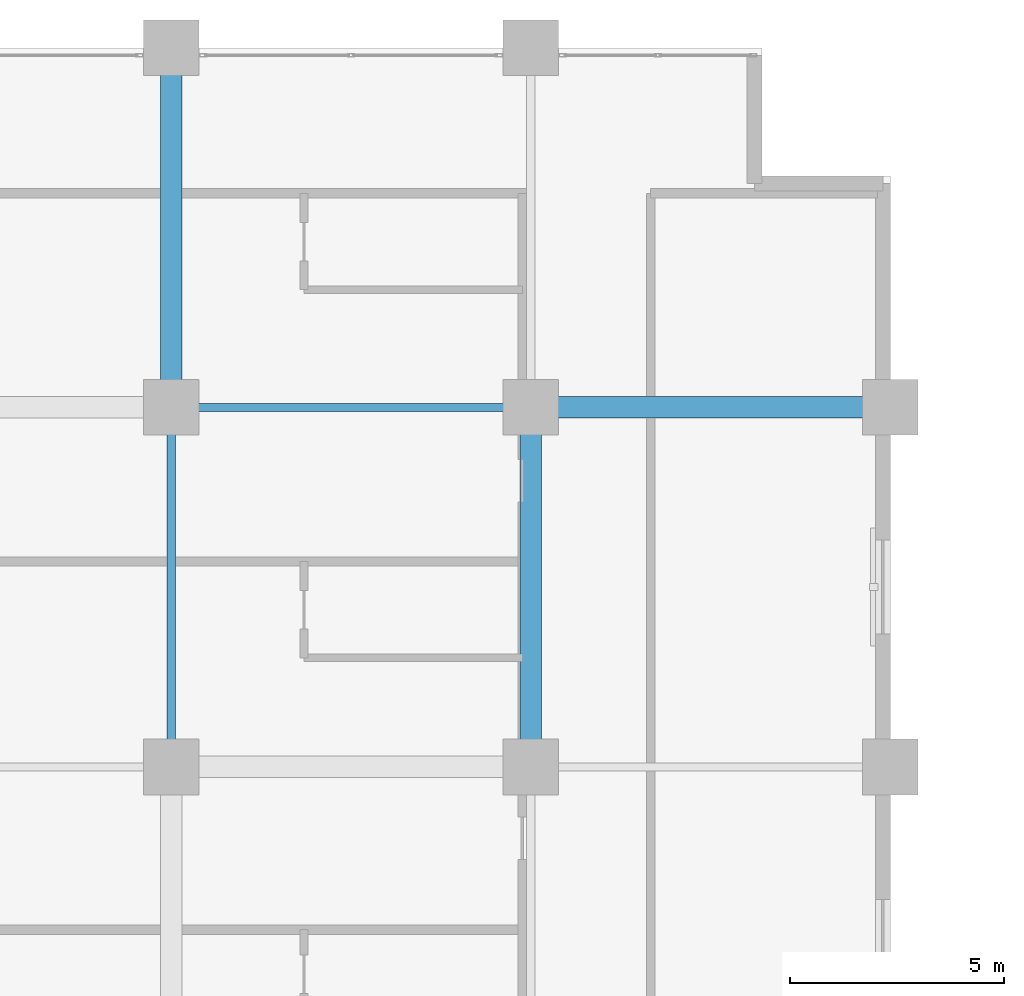
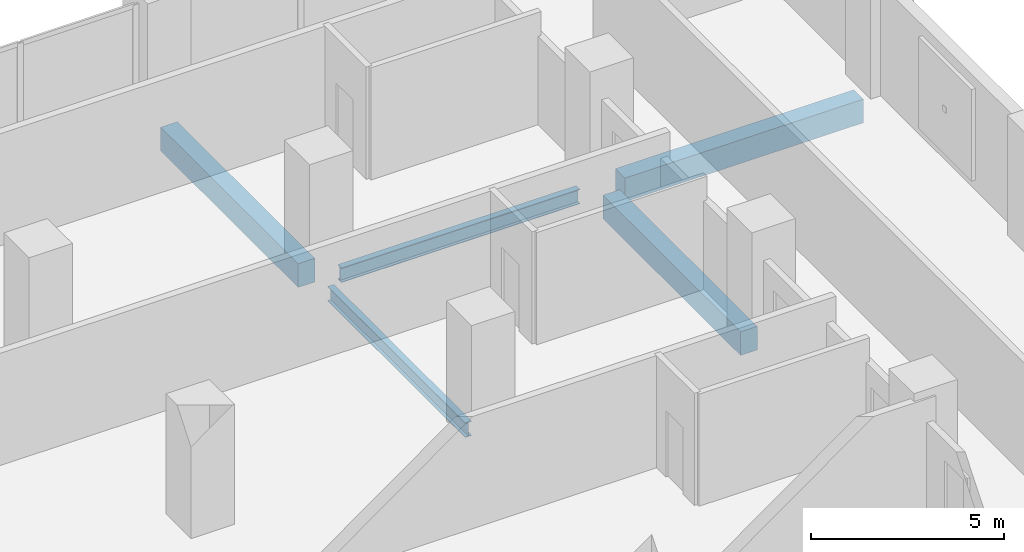
# One storey, part 4 of 20: 5 beams.
"""IFC4 building model written with IfcOpenShell, lengths in metres."""

from ifc_helpers import new_model, si_unit, direction, frame, origin, origin_2d, place, context, subcontext, project, spatial, rectangle, i_section, extrude, material, material_profile, profile_set, type_object, element, save


model = new_model("IFC4")

# Units and contexts
model_context = context("Model", 3, precision=1e-05, world=origin(), true_north=direction((0.0, 1.0)))
body_context = subcontext(model_context, "Body", "Model", "MODEL_VIEW")
ifc_project = project(units=[si_unit("LENGTHUNIT", "METRE"), si_unit("AREAUNIT", "SQUARE_METRE"), si_unit("VOLUMEUNIT", "CUBIC_METRE"), si_unit("PLANEANGLEUNIT", "RADIAN"), si_unit("MASSUNIT", "GRAM", prefix="KILO")], contexts=[model_context])

# Site, building, storey
site_placement = place(None, origin())
site = spatial("IfcSite", under=ifc_project, at=site_placement, CompositionType="ELEMENT")
building_placement = place(site_placement, origin())
building = spatial("IfcBuilding", under=site, at=building_placement, Name="Koriwani Terraces Tower", CompositionType="ELEMENT")
storey_placement = place(building_placement, frame((0.0, 0.0, 126.60009765625)))
storey = spatial("IfcBuildingStorey", under=building, at=storey_placement, Name="L30", CompositionType="ELEMENT", Elevation=126.60009765625)

# Beams
ifc_material_1 = material(Name="Concrete C50/60", Category="concrete")
ifc_material_profile_1 = material_profile(ifc_material_1, rectangle(XDim=0.5, YDim=0.75, at=origin_2d()), Name="Concrete C50/60", Category="LoadBearing")
ifc_profile_set_1 = profile_set([ifc_material_profile_1], Name="Concrete C50/60")
beam_type_1 = type_object("IfcBeamType", Name="BEAM_RC_GRID_500X750", PredefinedType="BEAM", material=ifc_profile_set_1)
beam_placement = place(storey_placement, frame((25.830078125, 84.0, -0.625), z_axis=(1.0, 0.0, 0.0), x_axis=(0.0, 1.0, 0.0)))
element("IfcBeam", 1, at=beam_placement, inside=storey, type_object=beam_type_1, Name="L30 Grid Beam K (25.2-33.6m)", PredefinedType="BEAM", context=body_context, shape_type="SweptSolid", body=[
    extrude(rectangle(XDim=0.5, YDim=0.75, at=origin_2d()), origin(), (0.0, 0.0, 1.0), 7.139892578125),
])
for number, where, z_axis, x_axis, name in (
    (2, (16.800048828125, 84.6298828125, -0.625), (0.0, 1.0, 0.0), (-1.0, 0.0, 0.0), "L30 Grid Beam 3 (84.0-92.4m)"),
    (3, (25.199951171875, 76.22998046875, -0.625), (0.0, 1.0, 0.0), (-1.0, 0.0, 0.0), "L30 Grid Beam 4 (75.6-84.0m)"),
):
    element("IfcBeam", number, at=place(storey_placement, frame(where, z_axis=z_axis, x_axis=x_axis)), inside=storey, type_object=beam_type_1, Name=name, PredefinedType="BEAM", context=body_context, shape_type="SweptSolid", body=[
        extrude(rectangle(XDim=0.5, YDim=0.75, at=origin_2d()), origin(), (0.0, 0.0, 1.0), 7.14013671875),
    ])
ifc_material_2 = material(Name="Steel ASTM A572 Grade 50", Category="steel")
ifc_material_profile_2 = material_profile(ifc_material_2, i_section(OverallWidth=0.193115234375, OverallDepth=0.462890625, WebThickness=0.0107421875, FlangeThickness=0.017333984375, at=origin_2d()), Name="Steel ASTM A572 Grade 50", Category="LoadBearing")
ifc_profile_set_2 = profile_set([ifc_material_profile_2], Name="Steel ASTM A572 Grade 50")
beam_type_2 = type_object("IfcBeamType", Name="STEEL_BEAM_W460X113", PredefinedType="BEAM", material=ifc_profile_set_2)
for number, where, z_axis, x_axis, name in (
    (4, (17.429931640625, 84.0, -0.481689453125), (1.0, 0.0, 0.0), (0.0, 1.0, 0.0), "L30 Grid Beam K (16.8-25.2m)"),
    (5, (16.800048828125, 76.22998046875, -0.481689453125), (0.0, 1.0, 0.0), (-1.0, 0.0, 0.0), "L30 Grid Beam 3 (75.6-84.0m)"),
):
    element("IfcBeam", number, at=place(storey_placement, frame(where, z_axis=z_axis, x_axis=x_axis)), inside=storey, type_object=beam_type_2, Name=name, PredefinedType="BEAM", context=body_context, shape_type="SweptSolid", body=[
        extrude(i_section(OverallWidth=0.193115234375, OverallDepth=0.462890625, WebThickness=0.0107421875, FlangeThickness=0.017333984375, at=origin_2d()), origin(), (0.0, 0.0, 1.0), 7.14013671875),
    ])

save(model, "model.ifc")
